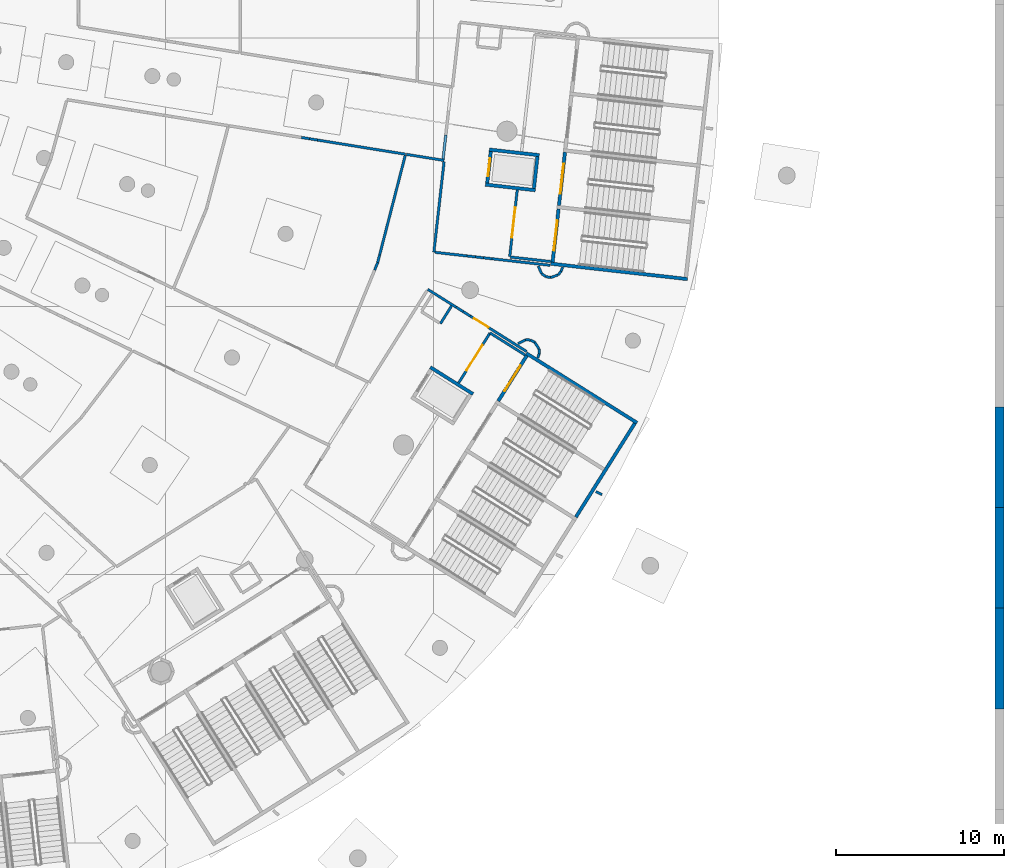
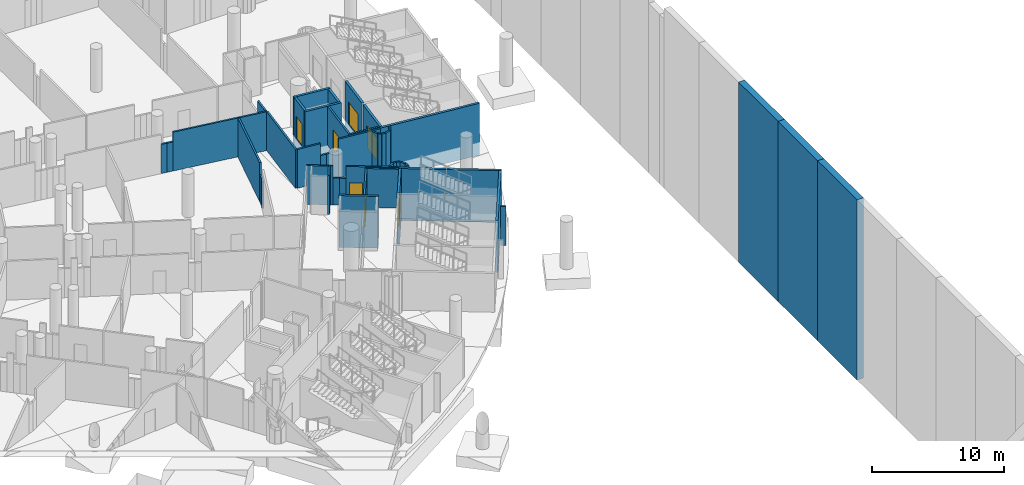
# One storey, part 59 of 142: 50 walls, 7 doors, 7 openings.
"""IFC4 building model written with IfcOpenShell, lengths in metres."""

from ifc_helpers import new_model, si_unit, direction, frame, frame_2d, origin, place, context, subcontext, project, spatial, rectangle, extrude, material, layer, layer_set, type_object, element, fill, save


model = new_model("IFC4")

# Units and contexts
model_context = context("Model", 3, precision=1e-05, world=origin(), true_north=direction((0.0, 1.0)))
body_context = subcontext(model_context, "Body", "Model", "MODEL_VIEW")
ifc_project = project(units=[si_unit("LENGTHUNIT", "METRE"), si_unit("AREAUNIT", "SQUARE_METRE"), si_unit("VOLUMEUNIT", "CUBIC_METRE"), si_unit("PLANEANGLEUNIT", "RADIAN"), si_unit("MASSUNIT", "GRAM", prefix="KILO")], contexts=[model_context])

# Site, building, storey
site_placement = place(None, origin())
site = spatial("IfcSite", under=ifc_project, at=site_placement, CompositionType="ELEMENT")
building_placement = place(site_placement, origin())
building = spatial("IfcBuilding", under=site, at=building_placement, Name="Meseta Stadium", CompositionType="ELEMENT")
storey_placement = place(building_placement, frame((0.0, 0.0, -4.0)))
storey = spatial("IfcBuildingStorey", under=building, at=storey_placement, Name="B1", CompositionType="ELEMENT", Elevation=-4.0)

# Wall
ifc_material_1 = material(Name="Concrete C40/50", Category="concrete")
ifc_layer_1 = layer(ifc_material_1, 0.199951171875)
ifc_layer_set_1 = layer_set([ifc_layer_1], Name="Core shaft wall 200")
wall_type_1 = type_object("IfcWallType", Name="Core shaft wall 200", PredefinedType="SHEAR", material=ifc_layer_set_1)
wall_1_placement = place(storey_placement, frame((95.123046875, -62.3779296875, -1.199951171875), z_axis=(0.0, 0.0, 1.0), x_axis=(-0.993710792168, 0.111977058046, 0.0)))
element("IfcWall", 1, at=wall_1_placement, inside=storey, type_object=wall_type_1, Name="Core 01 B1 stair wall A-side", PredefinedType="SHEAR", context=body_context, shape_type="SweptSolid", body=[
    extrude(rectangle(XDim=8.199951171875, YDim=0.199951171875, at=frame_2d((4.10009765625, 0.0))), origin(), (0.0, 0.0, 1.0), 4.800048828125),
])

# Wall, opening, door
wall_2_placement = place(storey_placement, frame((87.085205078125, -61.37158203125, -1.199951171875), z_axis=(0.0, 0.0, 1.0), x_axis=(0.11192190762, 0.993717005286, 0.0)))
wall_2 = element("IfcWall", 2, at=wall_2_placement, inside=storey, type_object=wall_type_1, Name="Core 01 B1 stair A1 inner end wall", PredefinedType="SHEAR", context=body_context, shape_type="SweptSolid", body=[
    extrude(rectangle(XDim=3.199951171875, YDim=0.199951171875, at=frame_2d((1.60009765625, 0.0))), origin(), (0.0, 0.0, 1.0), 4.800048828125),
])
opening_1_placement = place(wall_2_placement, frame((0.699951171875, 0.0, 1.199951171875)))
opening_1 = element("IfcOpeningElement", 3, at=opening_1_placement, cuts=wall_2, Name="Opening D031", PredefinedType="OPENING", context=body_context, shape_type="SweptSolid", body=[
    extrude(rectangle(XDim=1.800048828125, YDim=2.10009765625, at=frame_2d((0.89990234375, 1.050048828125))), frame((0.0, 0.10986328125, 0.0), z_axis=(0.0, -1.0, 0.0), x_axis=(1.0, 0.0, 0.0)), (0.0, 0.0, 1.0), 0.219970703125),
])
ifc_material_2 = material(Name="Steel", Category="steel")
door_type_1 = type_object("IfcDoorType", Name="Stair door 1800x2100", OperationType="DOUBLE_DOOR_SINGLE_SWING", PredefinedType="DOOR", material=ifc_material_2)
door_1_placement = place(opening_1_placement, origin())
door_1 = element("IfcDoor", 4, at=door_1_placement, inside=storey, type_object=door_type_1, Name="Stair A1 door 01 B1", OperationType="DOUBLE_DOOR_SINGLE_SWING", OverallHeight=2.10009765625, OverallWidth=1.800048828125, PredefinedType="DOOR", context=body_context, shape_type="SweptSolid", body=[
    extrude(rectangle(XDim=1.800048828125, YDim=2.10009765625, at=frame_2d((0.89990234375, 1.050048828125))), frame((0.0, 0.02490234375, 0.0), z_axis=(0.0, -1.0, 0.0), x_axis=(1.0, 0.0, 0.0)), (0.0, 0.0, 1.0), 0.050048828125),
])
fill(opening_1, door_1)

wall_3_placement = place(storey_placement, frame((87.4658203125, -57.992919921875, -1.199951171875), z_axis=(0.0, 0.0, 1.0), x_axis=(0.111997244021, 0.993708517288, 0.0)))
wall_3 = element("IfcWall", 5, at=wall_3_placement, inside=storey, type_object=wall_type_1, Name="Core 01 B1 stair A2 inner end wall", PredefinedType="SHEAR", context=body_context, shape_type="SweptSolid", body=[
    extrude(rectangle(XDim=3.199951171875, YDim=0.199951171875, at=frame_2d((1.60009765625, 0.0))), origin(), (0.0, 0.0, 1.0), 4.800048828125),
])
opening_2_placement = place(wall_3_placement, frame((0.699951171875, 0.0, 1.199951171875)))
opening_2 = element("IfcOpeningElement", 6, at=opening_2_placement, cuts=wall_3, Name="Opening D032", PredefinedType="OPENING", context=body_context, shape_type="SweptSolid", body=[
    extrude(rectangle(XDim=1.800048828125, YDim=2.10009765625, at=frame_2d((0.89990234375, 1.050048828125))), frame((0.0, 0.10986328125, 0.0), z_axis=(0.0, -1.0, 0.0), x_axis=(1.0, 0.0, 0.0)), (0.0, 0.0, 1.0), 0.219970703125),
])
door_2_placement = place(opening_2_placement, origin())
door_2 = element("IfcDoor", 7, at=door_2_placement, inside=storey, type_object=door_type_1, Name="Stair A2 door 01 B1", OperationType="DOUBLE_DOOR_SINGLE_SWING", OverallHeight=2.10009765625, OverallWidth=1.800048828125, PredefinedType="DOOR", context=body_context, shape_type="SweptSolid", body=[
    extrude(rectangle(XDim=1.800048828125, YDim=2.10009765625, at=frame_2d((0.89990234375, 1.050048828125))), frame((0.0, 0.02490234375, 0.0), z_axis=(0.0, -1.0, 0.0), x_axis=(1.0, 0.0, 0.0)), (0.0, 0.0, 1.0), 0.050048828125),
])
fill(opening_2, door_2)

# Walls
for number, where, z_axis, x_axis, name in (
    (8, (86.05908203125, -57.07958984375, -1.199951171875), (0.0, 0.0, 1.0), (-0.993718878013, 0.111905279056, 0.0), "Core 01 B1 lift shaft wall left"),
    (9, (86.294189453125, -54.992919921875, -1.199951171875), (0.0, 0.0, 1.0), (-0.993709824566, 0.111985644439, 0.0), "Core 01 B1 lift shaft wall right"),
):
    element("IfcWall", number, at=place(storey_placement, frame(where, z_axis=z_axis, x_axis=x_axis)), inside=storey, type_object=wall_type_1, Name=name, PredefinedType="SHEAR", context=body_context, shape_type="SweptSolid", body=[
        extrude(rectangle(XDim=2.999755859375, YDim=0.199951171875, at=frame_2d((1.5, 0.0))), origin(), (0.0, 0.0, 1.0), 4.800048828125),
    ])
wall_4_placement = place(storey_placement, frame((85.970947265625, -56.96923828125, -1.199951171875), z_axis=(0.0, 0.0, 1.0), x_axis=(0.112039012324, 0.993703808847, 0.0)))
element("IfcWall", 10, at=wall_4_placement, inside=storey, type_object=wall_type_1, Name="Core 01 B1 lift shaft back wall", PredefinedType="SHEAR", context=body_context, shape_type="SweptSolid", body=[
    extrude(rectangle(XDim=1.900146484375, YDim=0.199951171875, at=frame_2d((0.9501953125, 0.0))), origin(), (0.0, 0.0, 1.0), 4.800048828125),
])

# Wall, opening, door
wall_5_placement = place(storey_placement, frame((83.188720703125, -56.65576171875, -1.199951171875), z_axis=(0.0, 0.0, 1.0), x_axis=(0.11191213732, 0.993718105662, 0.0)))
wall_5 = element("IfcWall", 11, at=wall_5_placement, inside=storey, type_object=wall_type_1, Name="Core 01 B1 lift shaft front wall", PredefinedType="SHEAR", context=body_context, shape_type="SweptSolid", body=[
    extrude(rectangle(XDim=1.900146484375, YDim=0.199951171875, at=frame_2d((0.9501953125, 0.0))), origin(), (0.0, 0.0, 1.0), 4.800048828125),
])
opening_3_placement = place(wall_5_placement, frame((0.39990234375, 0.0, 1.199951171875)))
opening_3 = element("IfcOpeningElement", 12, at=opening_3_placement, cuts=wall_5, Name="Opening LD1", PredefinedType="OPENING", context=body_context, shape_type="SweptSolid", body=[
    extrude(rectangle(XDim=1.10009765625, YDim=2.10009765625, at=frame_2d((0.550048828125, 1.050048828125))), frame((0.0, 0.10986328125, 0.0), z_axis=(0.0, -1.0, 0.0), x_axis=(1.0, 0.0, 0.0)), (0.0, 0.0, 1.0), 0.219970703125),
])
ifc_material_3 = material(Name="Steel", Category="steel")
door_type_2 = type_object("IfcDoorType", Name="Lift landing door 1100x2100", OperationType="SLIDING_TO_LEFT", PredefinedType="DOOR", material=ifc_material_3)
door_3_placement = place(opening_3_placement, origin())
door_3 = element("IfcDoor", 13, at=door_3_placement, inside=storey, type_object=door_type_2, Name="Lift landing door LD1", OperationType="SLIDING_TO_LEFT", OverallHeight=2.10009765625, OverallWidth=1.10009765625, PredefinedType="DOOR", context=body_context, shape_type="SweptSolid", body=[
    extrude(rectangle(XDim=1.10009765625, YDim=2.10009765625, at=frame_2d((0.550048828125, 1.050048828125))), frame((0.0, 0.02490234375, 0.0), z_axis=(0.0, -1.0, 0.0), x_axis=(1.0, 0.0, 0.0)), (0.0, 0.0, 1.0), 0.050048828125),
])
fill(opening_3, door_3)

# Walls
wall_6_placement = place(storey_placement, frame((92.123291015625, -70.9501953125, -1.199951171875), z_axis=(0.0, 0.0, 1.0), x_axis=(-0.846722763703, 0.532034361135, 0.0)))
element("IfcWall", 14, at=wall_6_placement, inside=storey, type_object=wall_type_1, Name="Core 28 B1 stair wall B-side", PredefinedType="SHEAR", context=body_context, shape_type="SweptSolid", body=[
    extrude(rectangle(XDim=7.800048828125, YDim=0.199951171875, at=frame_2d((3.89990234375, 0.0))), origin(), (0.0, 0.0, 1.0), 4.800048828125),
])
wall_7_placement = place(storey_placement, frame((88.47412109375, -76.570068359375, -1.199951171875), z_axis=(0.0, 0.0, 1.0), x_axis=(0.532038964807, 0.846719870989, 0.0)))
element("IfcWall", 15, at=wall_7_placement, inside=storey, type_object=wall_type_1, Name="Core 28 B1 stair B outer end wall", PredefinedType="SHEAR", context=body_context, shape_type="SweptSolid", body=[
    extrude(rectangle(XDim=6.60009765625, YDim=0.199951171875, at=frame_2d((3.300048828125, 0.0))), origin(), (0.0, 0.0, 1.0), 4.800048828125),
])

# Wall, opening, door
wall_8_placement = place(storey_placement, frame((83.847900390625, -69.647705078125, -1.199951171875), z_axis=(0.0, 0.0, 1.0), x_axis=(0.532013720158, 0.846735733015, 0.0)))
wall_8 = element("IfcWall", 16, at=wall_8_placement, inside=storey, type_object=wall_type_1, Name="Core 28 B1 stair B2 inner end wall", PredefinedType="SHEAR", context=body_context, shape_type="SweptSolid", body=[
    extrude(rectangle(XDim=3.199951171875, YDim=0.199951171875, at=frame_2d((1.60009765625, 0.0))), origin(), (0.0, 0.0, 1.0), 4.800048828125),
])
opening_4_placement = place(wall_8_placement, frame((0.699951171875, 0.0, 1.199951171875)))
opening_4 = element("IfcOpeningElement", 17, at=opening_4_placement, cuts=wall_8, Name="Opening D368", PredefinedType="OPENING", context=body_context, shape_type="SweptSolid", body=[
    extrude(rectangle(XDim=1.800048828125, YDim=2.10009765625, at=frame_2d((0.89990234375, 1.050048828125))), frame((0.0, 0.10986328125, 0.0), z_axis=(0.0, -1.0, 0.0), x_axis=(1.0, 0.0, 0.0)), (0.0, 0.0, 1.0), 0.219970703125),
])
door_4_placement = place(opening_4_placement, origin())
door_4 = element("IfcDoor", 18, at=door_4_placement, inside=storey, type_object=door_type_1, Name="Stair B2 door 28 B1", OperationType="DOUBLE_DOOR_SINGLE_SWING", OverallHeight=2.10009765625, OverallWidth=1.800048828125, PredefinedType="DOOR", context=body_context, shape_type="SweptSolid", body=[
    extrude(rectangle(XDim=1.800048828125, YDim=2.10009765625, at=frame_2d((0.89990234375, 1.050048828125))), frame((0.0, 0.02490234375, 0.0), z_axis=(0.0, -1.0, 0.0), x_axis=(1.0, 0.0, 0.0)), (0.0, 0.0, 1.0), 0.050048828125),
])
fill(opening_4, door_4)

# Walls
wall_9_placement = place(storey_placement, frame((82.33837890625, -69.230712890625, -1.199951171875), z_axis=(0.0, 0.0, 1.0), x_axis=(-0.846757002027, 0.531979867588, 0.0)))
element("IfcWall", 19, at=wall_9_placement, inside=storey, type_object=wall_type_1, Name="Core 28 B1 lift shaft wall right", PredefinedType="SHEAR", context=body_context, shape_type="SweptSolid", body=[
    extrude(rectangle(XDim=3.0, YDim=0.199951171875, at=frame_2d((1.5, 0.0))), origin(), (0.0, 0.0, 1.0), 4.800048828125),
])
ifc_material_4 = material(Name="Masonry blockwork", Category="masonry")
ifc_layer_2 = layer(ifc_material_4, 0.14990234375)
ifc_layer_set_2 = layer_set([ifc_layer_2], Name="Partition 150")
wall_type_2 = type_object("IfcWallType", Name="Partition 150", PredefinedType="PARTITIONING", material=ifc_layer_set_2)
wall_10_placement = place(storey_placement, frame((72.106201171875, -53.932861328125, 0.0), z_axis=(0.0, 0.0, 1.0), x_axis=(0.987292235335, -0.15891520395, 0.0)))
element("IfcWall", 20, at=wall_10_placement, inside=storey, type_object=wall_type_2, Name="Partition B1 B1-cell27-2-0", PredefinedType="PARTITIONING", context=body_context, shape_type="SweptSolid", body=[
    extrude(rectangle(XDim=0.48388671875, YDim=0.14990234375, at=frame_2d((0.241943359375, 0.0))), origin(), (0.0, 0.0, 1.0), 2.699951171875),
])
wall_11_placement = place(storey_placement, frame((72.583984375, -54.009765625, 0.0), z_axis=(0.0, 0.0, 1.0), x_axis=(0.987225775326, -0.159327551074, 0.0)))
element("IfcWall", 21, at=wall_11_placement, inside=storey, type_object=wall_type_2, Name="Partition B1 B1-cell27-2-0", PredefinedType="PARTITIONING", context=body_context, shape_type="SweptSolid", body=[
    extrude(rectangle(XDim=0.484130859375, YDim=0.14990234375, at=frame_2d((0.2421875, 0.0))), origin(), (0.0, 0.0, 1.0), 2.699951171875),
])
wall_12_placement = place(storey_placement, frame((73.06201171875, -54.0869140625, 0.0), z_axis=(0.0, 0.0, 1.0), x_axis=(0.987277597681, -0.159006116601, 0.0)))
element("IfcWall", 22, at=wall_12_placement, inside=storey, type_object=wall_type_2, Name="Partition B1 B1-cell27-2-0", PredefinedType="PARTITIONING", context=body_context, shape_type="SweptSolid", body=[
    extrude(rectangle(XDim=5.32470703125, YDim=0.14990234375, at=frame_2d((2.662353515625, 0.0))), origin(), (0.0, 0.0, 1.0), 3.60009765625),
])
wall_13_placement = place(storey_placement, frame((78.300537109375, -55.00634765625, 0.0), z_axis=(0.0, 0.0, 1.0), x_axis=(-0.249144697435, -0.968466271865, 0.0)))
element("IfcWall", 23, at=wall_13_placement, inside=storey, type_object=wall_type_2, Name="Partition B1 B1-cell27-2-0", PredefinedType="PARTITIONING", context=body_context, shape_type="SweptSolid", body=[
    extrude(rectangle(XDim=6.12255859375, YDim=0.14990234375, at=frame_2d((3.061279296875, 0.0))), origin(), (0.0, 0.0, 1.0), 3.60009765625),
])
wall_14_placement = place(storey_placement, frame((76.775146484375, -60.935791015625, 0.0), z_axis=(0.0, 0.0, 1.0), x_axis=(-0.248917503773, -0.968524690607, 0.0)))
element("IfcWall", 24, at=wall_14_placement, inside=storey, type_object=wall_type_2, Name="Partition B1 B1-cell27-2-0", PredefinedType="PARTITIONING", context=body_context, shape_type="SweptSolid", body=[
    extrude(rectangle(XDim=0.4765625, YDim=0.14990234375, at=frame_2d((0.23828125, 0.0))), origin(), (0.0, 0.0, 1.0), 2.5),
])
wall_15_placement = place(storey_placement, frame((76.656494140625, -61.3974609375, 0.0), z_axis=(0.0, 0.0, 1.0), x_axis=(-0.379230600794, -0.925302194649, 0.0)))
element("IfcWall", 25, at=wall_15_placement, inside=storey, type_object=wall_type_2, Name="Partition B1 B1-cell27-2-0", PredefinedType="PARTITIONING", context=body_context, shape_type="SweptSolid", body=[
    extrude(rectangle(XDim=0.47705078125, YDim=0.14990234375, at=frame_2d((0.238525390625, 0.0))), origin(), (0.0, 0.0, 1.0), 2.5),
])

# Wall, opening, door
wall_16_placement = place(storey_placement, frame((85.5380859375, -66.694580078125, 0.0), z_axis=(0.0, 0.0, 1.0), x_axis=(-0.84671635408, 0.532044561793, 0.0)))
wall_16 = element("IfcWall", 26, at=wall_16_placement, inside=storey, type_object=wall_type_2, Name="Partition B1 B1-cell27-3-0", PredefinedType="PARTITIONING", context=body_context, shape_type="SweptSolid", body=[
    extrude(rectangle(XDim=3.97705078125, YDim=0.14990234375, at=frame_2d((1.988525390625, 0.0))), origin(), (0.0, 0.0, 1.0), 3.60009765625),
])
opening_5_placement = place(wall_16_placement, frame((2.699951171875, 0.0, 0.0)))
opening_5 = element("IfcOpeningElement", 27, at=opening_5_placement, cuts=wall_16, Name="Opening D512", PredefinedType="OPENING", context=body_context, shape_type="SweptSolid", body=[
    extrude(rectangle(XDim=1.0, YDim=2.10009765625, at=frame_2d((0.5, 1.050048828125))), frame((0.0, 0.0849609375, 0.0), z_axis=(0.0, -1.0, 0.0), x_axis=(1.0, 0.0, 0.0)), (0.0, 0.0, 1.0), 0.169921875),
])
ifc_material_5 = material(Name="Steel", Category="steel")
door_type_3 = type_object("IfcDoorType", Name="Fire door 1000x2100 EI2 60", OperationType="NOTDEFINED", PredefinedType="DOOR", material=ifc_material_5)
door_5_placement = place(opening_5_placement, origin())
door_5 = element("IfcDoor", 28, at=door_5_placement, inside=storey, type_object=door_type_3, Name="Door D512", OperationType="SINGLE_SWING_RIGHT", OverallHeight=2.10009765625, OverallWidth=1.0, PredefinedType="DOOR", context=body_context, shape_type="SweptSolid", body=[
    extrude(rectangle(XDim=1.0, YDim=2.10009765625, at=frame_2d((0.5, 1.050048828125))), frame((0.0, 0.02490234375, 0.0), z_axis=(0.0, -1.0, 0.0), x_axis=(1.0, 0.0, 0.0)), (0.0, 0.0, 1.0), 0.050048828125),
])
fill(opening_5, door_5)

# Walls
for number, where, z_axis, x_axis, name in (
    (29, (82.170654296875, -64.57861328125, 0.0), (0.0, 0.0, 1.0), (-0.846560685875, 0.532292217801, 0.0), "Partition B1 B1-cell27-3-0"),
    (30, (81.749755859375, -64.31396484375, 0.0), (0.0, 0.0, 1.0), (-0.846781943841, 0.531940165418, 0.0), "Partition B1 B1-cell27-3-0"),
):
    element("IfcWall", number, at=place(storey_placement, frame(where, z_axis=z_axis, x_axis=x_axis)), inside=storey, type_object=wall_type_2, Name=name, PredefinedType="PARTITIONING", context=body_context, shape_type="SweptSolid", body=[
        extrude(rectangle(XDim=0.4970703125, YDim=0.14990234375, at=frame_2d((0.24853515625, 0.0))), origin(), (0.0, 0.0, 1.0), 2.5),
    ])
wall_17_placement = place(storey_placement, frame((81.328857421875, -64.049560546875, 0.0), z_axis=(0.0, 0.0, 1.0), x_axis=(-0.84670607735, 0.532060916229, 0.0)))
element("IfcWall", 31, at=wall_17_placement, inside=storey, type_object=wall_type_2, Name="Partition B1 B1-cell27-3-0", PredefinedType="PARTITIONING", context=body_context, shape_type="SweptSolid", body=[
    extrude(rectangle(XDim=1.98876953125, YDim=0.14990234375, at=frame_2d((0.994384765625, 0.0))), origin(), (0.0, 0.0, 1.0), 3.60009765625),
])
wall_18_placement = place(storey_placement, frame((78.36865234375, -54.94140625, 0.0), z_axis=(0.0, 0.0, 1.0), x_axis=(0.987271996108, -0.15904089317, 0.0)))
element("IfcWall", 32, at=wall_18_placement, inside=storey, type_object=wall_type_2, Name="Partition B1 B1-cell27-3-0", PredefinedType="PARTITIONING", context=body_context, shape_type="SweptSolid", body=[
    extrude(rectangle(XDim=2.2841796875, YDim=0.14990234375, at=frame_2d((1.14208984375, 0.0))), origin(), (0.0, 0.0, 1.0), 3.60009765625),
])
wall_19_placement = place(storey_placement, frame((80.615478515625, -55.379150390625, 0.0), z_axis=(0.0, 0.0, 1.0), x_axis=(-0.111990669248, -0.993709258285, 0.0)))
element("IfcWall", 33, at=wall_19_placement, inside=storey, type_object=wall_type_2, Name="Partition B1 B1-cell27-3-0", PredefinedType="PARTITIONING", context=body_context, shape_type="SweptSolid", body=[
    extrude(rectangle(XDim=5.430419921875, YDim=0.14990234375, at=frame_2d((2.71533203125, 0.0))), origin(), (0.0, 0.0, 1.0), 3.60009765625),
])
wall_20_placement = place(storey_placement, frame((80.081787109375, -60.78369140625, 0.0), z_axis=(0.0, 0.0, 1.0), x_axis=(0.993706666168, -0.112013667081, 0.0)))
element("IfcWall", 34, at=wall_20_placement, inside=storey, type_object=wall_type_2, Name="Partition B1 B1-cell27-3-0", PredefinedType="PARTITIONING", context=body_context, shape_type="SweptSolid", body=[
    extrude(rectangle(XDim=1.91357421875, YDim=0.14990234375, at=frame_2d((0.956787109375, 0.0))), origin(), (0.0, 0.0, 1.0), 3.60009765625),
])
wall_21_placement = place(storey_placement, frame((81.9833984375, -60.998046875, 0.0), z_axis=(0.0, 0.0, 1.0), x_axis=(0.99371494251, -0.111940220797, 0.0)))
element("IfcWall", 35, at=wall_21_placement, inside=storey, type_object=wall_type_2, Name="Partition B1 B1-cell27-3-0", PredefinedType="PARTITIONING", context=body_context, shape_type="SweptSolid", body=[
    extrude(rectangle(XDim=0.497314453125, YDim=0.14990234375, at=frame_2d((0.24853515625, 0.0))), origin(), (0.0, 0.0, 1.0), 2.5),
])
wall_22_placement = place(storey_placement, frame((82.4775390625, -61.0537109375, 0.0), z_axis=(0.0, 0.0, 1.0), x_axis=(0.993708785902, -0.111994860695, 0.0)))
element("IfcWall", 36, at=wall_22_placement, inside=storey, type_object=wall_type_2, Name="Partition B1 B1-cell27-3-0", PredefinedType="PARTITIONING", context=body_context, shape_type="SweptSolid", body=[
    extrude(rectangle(XDim=0.4970703125, YDim=0.14990234375, at=frame_2d((0.24853515625, 0.0))), origin(), (0.0, 0.0, 1.0), 2.5),
])
wall_23_placement = place(storey_placement, frame((82.971435546875, -61.109375, 0.0), z_axis=(0.0, 0.0, 1.0), x_axis=(0.99371494251, -0.111940220797, 0.0)))
element("IfcWall", 37, at=wall_23_placement, inside=storey, type_object=wall_type_2, Name="Partition B1 B1-cell27-3-0", PredefinedType="PARTITIONING", context=body_context, shape_type="SweptSolid", body=[
    extrude(rectangle(XDim=0.497314453125, YDim=0.14990234375, at=frame_2d((0.24853515625, 0.0))), origin(), (0.0, 0.0, 1.0), 2.5),
])
wall_24_placement = place(storey_placement, frame((83.465576171875, -61.1650390625, 0.0), z_axis=(0.0, 0.0, 1.0), x_axis=(0.993711425552, -0.111971437107, 0.0)))
element("IfcWall", 38, at=wall_24_placement, inside=storey, type_object=wall_type_2, Name="Partition B1 B1-cell27-3-0", PredefinedType="PARTITIONING", context=body_context, shape_type="SweptSolid", body=[
    extrude(rectangle(XDim=3.47998046875, YDim=0.14990234375, at=frame_2d((1.739990234375, 0.0))), origin(), (0.0, 0.0, 1.0), 3.60009765625),
])
wall_25_placement = place(storey_placement, frame((90.0361328125, -75.2275390625, 0.0), z_axis=(0.0, 0.0, 1.0), x_axis=(-0.901328263677, 0.433136654068, 0.0)))
element("IfcWall", 39, at=wall_25_placement, inside=storey, type_object=wall_type_2, Name="Partition B1 B1-cell27-3-0", PredefinedType="PARTITIONING", context=body_context, shape_type="SweptSolid", body=[
    extrude(rectangle(XDim=0.410888671875, YDim=0.14990234375, at=frame_2d((0.20556640625, 0.0))), origin(), (0.0, 0.0, 1.0), 3.60009765625),
])
wall_26_placement = place(storey_placement, frame((84.563720703125, -61.0625, 0.0), z_axis=(0.0, 0.0, 1.0), x_axis=(0.993717217179, -0.11192002628, 0.0)))
element("IfcWall", 40, at=wall_26_placement, inside=storey, type_object=wall_type_2, Name="Stair vestibule wall B1 core 01", PredefinedType="PARTITIONING", context=body_context, shape_type="SweptSolid", body=[
    extrude(rectangle(XDim=2.43017578125, YDim=0.14990234375, at=frame_2d((1.215087890625, 0.0))), origin(), (0.0, 0.0, 1.0), 3.60009765625),
])

# Wall, opening, door
wall_27_placement = place(storey_placement, frame((84.978515625, -57.068603515625, 0.0), z_axis=(0.0, 0.0, 1.0), x_axis=(-0.111946206146, -0.993714268253, 0.0)))
wall_27 = element("IfcWall", 41, at=wall_27_placement, inside=storey, type_object=wall_type_2, Name="Stair vestibule wall B1 core 01", PredefinedType="PARTITIONING", context=body_context, shape_type="SweptSolid", body=[
    extrude(rectangle(XDim=3.97998046875, YDim=0.14990234375, at=frame_2d((1.989990234375, 0.0))), origin(), (0.0, 0.0, 1.0), 3.60009765625),
])
opening_6_placement = place(wall_27_placement, frame((1.050048828125, 0.0, 0.0)))
opening_6 = element("IfcOpeningElement", 42, at=opening_6_placement, cuts=wall_27, Name="Opening D714", PredefinedType="OPENING", context=body_context, shape_type="SweptSolid", body=[
    extrude(rectangle(XDim=1.800048828125, YDim=2.10009765625, at=frame_2d((0.89990234375, 1.050048828125))), frame((0.0, 0.0849609375, 0.0), z_axis=(0.0, -1.0, 0.0), x_axis=(1.0, 0.0, 0.0)), (0.0, 0.0, 1.0), 0.169921875),
])
ifc_material_6 = material(Name="Steel", Category="steel")
door_type_4 = type_object("IfcDoorType", Name="Fire double door 1800x2100 EI2 60", OperationType="DOUBLE_DOOR_SINGLE_SWING", PredefinedType="DOOR", material=ifc_material_6)
door_6_placement = place(opening_6_placement, origin())
door_6 = element("IfcDoor", 43, at=door_6_placement, inside=storey, type_object=door_type_4, Name="Stair vestibule door B1 core 01", OperationType="DOUBLE_DOOR_SINGLE_SWING", OverallHeight=2.10009765625, OverallWidth=1.800048828125, PredefinedType="DOOR", context=body_context, shape_type="SweptSolid", body=[
    extrude(rectangle(XDim=1.800048828125, YDim=2.10009765625, at=frame_2d((0.89990234375, 1.050048828125))), frame((0.0, 0.02490234375, 0.0), z_axis=(0.0, -1.0, 0.0), x_axis=(1.0, 0.0, 0.0)), (0.0, 0.0, 1.0), 0.050048828125),
])
fill(opening_6, door_6)

# Walls
wall_28_placement = place(storey_placement, frame((80.719482421875, -53.783935546875, 2.5), z_axis=(0.0, 0.0, 1.0), x_axis=(-0.111811553314, -0.993729428238, 0.0)))
element("IfcWall", 44, at=wall_28_placement, inside=storey, type_object=wall_type_2, Name="Stair vestibule wall B1 core 01", PredefinedType="PARTITIONING", context=body_context, shape_type="SweptSolid", body=[
    extrude(rectangle(XDim=1.436767578125, YDim=0.14990234375, at=frame_2d((0.71826171875, 0.0))), origin(), (0.0, 0.0, 1.0), 1.10009765625),
])
wall_29_placement = place(storey_placement, frame((86.230712890625, -61.6064453125, 0.0), z_axis=(0.0, 0.0, 1.0), x_axis=(0.413545730988, -0.910483348767, 0.0)))
element("IfcWall", 45, at=wall_29_placement, inside=storey, type_object=wall_type_2, Name="Stair vestibule wall B1 core 01", PredefinedType="PARTITIONING", context=body_context, shape_type="SweptSolid", body=[
    extrude(rectangle(XDim=0.500732421875, YDim=0.14990234375, at=frame_2d((0.25048828125, 0.0))), origin(), (0.0, 0.0, 1.0), 3.60009765625),
])
wall_30_placement = place(storey_placement, frame((86.437744140625, -62.062255859375, 0.0), z_axis=(0.0, 0.0, 1.0), x_axis=(0.823647755069, -0.567101732998, 0.0)))
element("IfcWall", 46, at=wall_30_placement, inside=storey, type_object=wall_type_2, Name="Stair vestibule wall B1 core 01", PredefinedType="PARTITIONING", context=body_context, shape_type="SweptSolid", body=[
    extrude(rectangle(XDim=0.289306640625, YDim=0.14990234375, at=frame_2d((0.14453125, 0.0))), origin(), (0.0, 0.0, 1.0), 3.60009765625),
])
wall_31_placement = place(storey_placement, frame((86.676025390625, -62.226318359375, 0.0), z_axis=(0.0, 0.0, 1.0), x_axis=(0.97799972908, -0.20860615983, 0.0)))
element("IfcWall", 47, at=wall_31_placement, inside=storey, type_object=wall_type_2, Name="Stair vestibule wall B1 core 01", PredefinedType="PARTITIONING", context=body_context, shape_type="SweptSolid", body=[
    extrude(rectangle(XDim=0.2890625, YDim=0.14990234375, at=frame_2d((0.14453125, 0.0))), origin(), (0.0, 0.0, 1.0), 3.60009765625),
])
wall_32_placement = place(storey_placement, frame((86.958740234375, -62.28662109375, 0.0), z_axis=(0.0, 0.0, 1.0), x_axis=(0.946315679365, 0.323243924904, 0.0)))
element("IfcWall", 48, at=wall_32_placement, inside=storey, type_object=wall_type_2, Name="Stair vestibule wall B1 core 01", PredefinedType="PARTITIONING", context=body_context, shape_type="SweptSolid", body=[
    extrude(rectangle(XDim=0.4794921875, YDim=0.14990234375, at=frame_2d((0.23974609375, 0.0))), origin(), (0.0, 0.0, 1.0), 3.60009765625),
])
wall_33_placement = place(storey_placement, frame((87.41259765625, -62.131591796875, 0.0), z_axis=(0.0, 0.0, 1.0), x_axis=(0.645257808193, 0.763964895114, 0.0)))
element("IfcWall", 49, at=wall_33_placement, inside=storey, type_object=wall_type_2, Name="Stair vestibule wall B1 core 01", PredefinedType="PARTITIONING", context=body_context, shape_type="SweptSolid", body=[
    extrude(rectangle(XDim=0.287841796875, YDim=0.14990234375, at=frame_2d((0.14404296875, 0.0))), origin(), (0.0, 0.0, 1.0), 3.60009765625),
])
wall_34_placement = place(storey_placement, frame((87.598388671875, -61.91162109375, 0.0), z_axis=(0.0, 0.0, 1.0), x_axis=(0.337477145114, 0.941333722187, 0.0)))
element("IfcWall", 50, at=wall_34_placement, inside=storey, type_object=wall_type_2, Name="Stair vestibule wall B1 core 01", PredefinedType="PARTITIONING", context=body_context, shape_type="SweptSolid", body=[
    extrude(rectangle(XDim=0.257568359375, YDim=0.14990234375, at=frame_2d((0.12890625, 0.0))), origin(), (0.0, 0.0, 1.0), 3.60009765625),
])
wall_35_placement = place(storey_placement, frame((80.400634765625, -65.03125, 0.0), z_axis=(0.0, 0.0, 1.0), x_axis=(0.532035438589, 0.846722086688, 0.0)))
element("IfcWall", 51, at=wall_35_placement, inside=storey, type_object=wall_type_2, Name="Pressurisation shaft wall B1 core 28", PredefinedType="PARTITIONING", context=body_context, shape_type="SweptSolid", body=[
    extrude(rectangle(XDim=1.2490234375, YDim=0.14990234375, at=frame_2d((0.62451171875, 0.0))), origin(), (0.0, 0.0, 1.0), 3.60009765625),
])
wall_36_placement = place(storey_placement, frame((85.444091796875, -66.90087890625, 0.0), z_axis=(0.0, 0.0, 1.0), x_axis=(-0.846783134152, 0.531938270588, 0.0)))
element("IfcWall", 52, at=wall_36_placement, inside=storey, type_object=wall_type_2, Name="Stair vestibule wall B1 core 28", PredefinedType="PARTITIONING", context=body_context, shape_type="SweptSolid", body=[
    extrude(rectangle(XDim=2.465087890625, YDim=0.14990234375, at=frame_2d((1.232421875, 0.0))), origin(), (0.0, 0.0, 1.0), 3.60009765625),
])

# Wall, opening, door
wall_37_placement = place(storey_placement, frame((83.356689453125, -65.589599609375, 0.0), z_axis=(0.0, 0.0, 1.0), x_axis=(-0.532007940343, -0.84673936451, 0.0)))
wall_37 = element("IfcWall", 53, at=wall_37_placement, inside=storey, type_object=wall_type_2, Name="Stair vestibule wall B1 core 28", PredefinedType="PARTITIONING", context=body_context, shape_type="SweptSolid", body=[
    extrude(rectangle(XDim=3.5146484375, YDim=0.14990234375, at=frame_2d((1.75732421875, 0.0))), origin(), (0.0, 0.0, 1.0), 3.60009765625),
])
opening_7_placement = place(wall_37_placement, frame((0.85009765625, 0.0, 0.0)))
opening_7 = element("IfcOpeningElement", 54, at=opening_7_placement, cuts=wall_37, Name="Opening D743", PredefinedType="OPENING", context=body_context, shape_type="SweptSolid", body=[
    extrude(rectangle(XDim=1.800048828125, YDim=2.10009765625, at=frame_2d((0.89990234375, 1.050048828125))), frame((0.0, 0.0849609375, 0.0), z_axis=(0.0, -1.0, 0.0), x_axis=(1.0, 0.0, 0.0)), (0.0, 0.0, 1.0), 0.169921875),
])
door_7_placement = place(opening_7_placement, origin())
door_7 = element("IfcDoor", 55, at=door_7_placement, inside=storey, type_object=door_type_4, Name="Stair vestibule door B1 core 28", OperationType="DOUBLE_DOOR_SINGLE_SWING", OverallHeight=2.10009765625, OverallWidth=1.800048828125, PredefinedType="DOOR", context=body_context, shape_type="SweptSolid", body=[
    extrude(rectangle(XDim=1.800048828125, YDim=2.10009765625, at=frame_2d((0.89990234375, 1.050048828125))), frame((0.0, 0.02490234375, 0.0), z_axis=(0.0, -1.0, 0.0), x_axis=(1.0, 0.0, 0.0)), (0.0, 0.0, 1.0), 0.050048828125),
])
fill(opening_7, door_7)

# Walls
wall_38_placement = place(storey_placement, frame((86.205078125, -67.080078125, 0.0), z_axis=(0.0, 0.0, 1.0), x_axis=(0.322191523859, 0.946674506868, 0.0)))
element("IfcWall", 56, at=wall_38_placement, inside=storey, type_object=wall_type_2, Name="Stair vestibule wall B1 core 28", PredefinedType="PARTITIONING", context=body_context, shape_type="SweptSolid", body=[
    extrude(rectangle(XDim=0.257568359375, YDim=0.14990234375, at=frame_2d((0.12890625, 0.0))), origin(), (0.0, 0.0, 1.0), 3.60009765625),
])
wall_39_placement = place(storey_placement, frame((86.2880859375, -66.836181640625, 0.0), z_axis=(0.0, 0.0, 1.0), x_axis=(-0.027108677756, 0.999632492264, 0.0)))
element("IfcWall", 57, at=wall_39_placement, inside=storey, type_object=wall_type_2, Name="Stair vestibule wall B1 core 28", PredefinedType="PARTITIONING", context=body_context, shape_type="SweptSolid", body=[
    extrude(rectangle(XDim=0.2880859375, YDim=0.14990234375, at=frame_2d((0.14404296875, 0.0))), origin(), (0.0, 0.0, 1.0), 3.60009765625),
])
wall_40_placement = place(storey_placement, frame((86.2802734375, -66.548095703125, 0.0), z_axis=(0.0, 0.0, 1.0), x_axis=(-0.538489767729, 0.842632049029, 0.0)))
element("IfcWall", 58, at=wall_40_placement, inside=storey, type_object=wall_type_2, Name="Stair vestibule wall B1 core 28", PredefinedType="PARTITIONING", context=body_context, shape_type="SweptSolid", body=[
    extrude(rectangle(XDim=0.479248046875, YDim=0.14990234375, at=frame_2d((0.23974609375, 0.0))), origin(), (0.0, 0.0, 1.0), 3.60009765625),
])
wall_41_placement = place(storey_placement, frame((86.022216796875, -66.144287109375, 0.0), z_axis=(0.0, 0.0, 1.0), x_axis=(-0.894427191, 0.4472135955, 0.0)))
element("IfcWall", 59, at=wall_41_placement, inside=storey, type_object=wall_type_2, Name="Stair vestibule wall B1 core 28", PredefinedType="PARTITIONING", context=body_context, shape_type="SweptSolid", body=[
    extrude(rectangle(XDim=0.289306640625, YDim=0.14990234375, at=frame_2d((0.14453125, 0.0))), origin(), (0.0, 0.0, 1.0), 3.60009765625),
])
wall_42_placement = place(storey_placement, frame((85.763427734375, -66.014892578125, 0.0), z_axis=(0.0, 0.0, 1.0), x_axis=(-0.997547794052, 0.06998856036, 0.0)))
element("IfcWall", 60, at=wall_42_placement, inside=storey, type_object=wall_type_2, Name="Stair vestibule wall B1 core 28", PredefinedType="PARTITIONING", context=body_context, shape_type="SweptSolid", body=[
    extrude(rectangle(XDim=0.28955078125, YDim=0.14990234375, at=frame_2d((0.144775390625, 0.0))), origin(), (0.0, 0.0, 1.0), 3.60009765625),
])
wall_43_placement = place(storey_placement, frame((85.474609375, -65.99462890625, 0.0), z_axis=(0.0, 0.0, 1.0), x_axis=(-0.890886791294, -0.45422541221, 0.0)))
element("IfcWall", 61, at=wall_43_placement, inside=storey, type_object=wall_type_2, Name="Stair vestibule wall B1 core 28", PredefinedType="PARTITIONING", context=body_context, shape_type="SweptSolid", body=[
    extrude(rectangle(XDim=0.50048828125, YDim=0.14990234375, at=frame_2d((0.250244140625, 0.0))), origin(), (0.0, 0.0, 1.0), 3.60009765625),
])
ifc_material_7 = material(Name="Concrete C30/37", Category="concrete")
ifc_layer_3 = layer(ifc_material_7, 0.550048828125)
ifc_layer_set_3 = layer_set([ifc_layer_3], Name="Site retaining wall 550")
wall_type_3 = type_object("IfcWallType", Name="Site retaining wall 550", PredefinedType="SOLIDWALL", material=ifc_layer_set_3)
wall_44_placement = place(storey_placement, frame((113.72509765625, -87.99951171875, -13.0), z_axis=(0.0, 0.0, 1.0), x_axis=(0.0, 1.0, 0.0)))
element("IfcWall", 62, at=wall_44_placement, inside=storey, type_object=wall_type_3, Name="Site retaining wall 55", PredefinedType="SOLIDWALL", context=body_context, shape_type="SweptSolid", body=[
    extrude(rectangle(XDim=6.0, YDim=0.550048828125, at=frame_2d((3.0, 0.0))), origin(), (0.0, 0.0, 1.0), 16.699951171875),
])
wall_45_placement = place(storey_placement, frame((113.72509765625, -81.99951171875, -13.0), z_axis=(0.0, 0.0, 1.0), x_axis=(0.0, 1.0, 0.0)))
element("IfcWall", 63, at=wall_45_placement, inside=storey, type_object=wall_type_3, Name="Site retaining wall 56", PredefinedType="SOLIDWALL", context=body_context, shape_type="SweptSolid", body=[
    extrude(rectangle(XDim=5.999755859375, YDim=0.550048828125, at=frame_2d((3.0, 0.0))), origin(), (0.0, 0.0, 1.0), 16.699951171875),
])
wall_46_placement = place(storey_placement, frame((113.72509765625, -75.999755859375, -13.0), z_axis=(0.0, 0.0, 1.0), x_axis=(0.0, 1.0, 0.0)))
element("IfcWall", 64, at=wall_46_placement, inside=storey, type_object=wall_type_3, Name="Site retaining wall 57", PredefinedType="SOLIDWALL", context=body_context, shape_type="SweptSolid", body=[
    extrude(rectangle(XDim=6.0, YDim=0.550048828125, at=frame_2d((3.0, 0.0))), origin(), (0.0, 0.0, 1.0), 16.699951171875),
])

save(model, "model.ifc")
